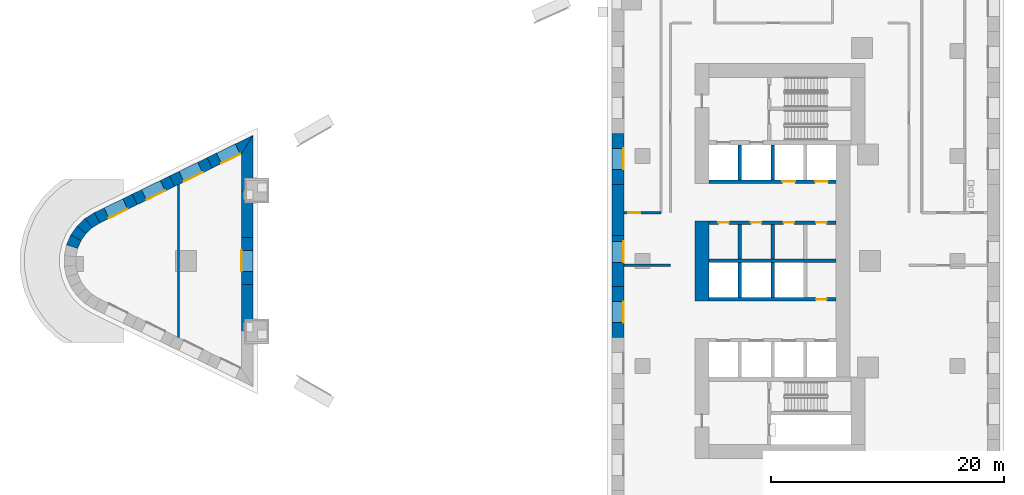
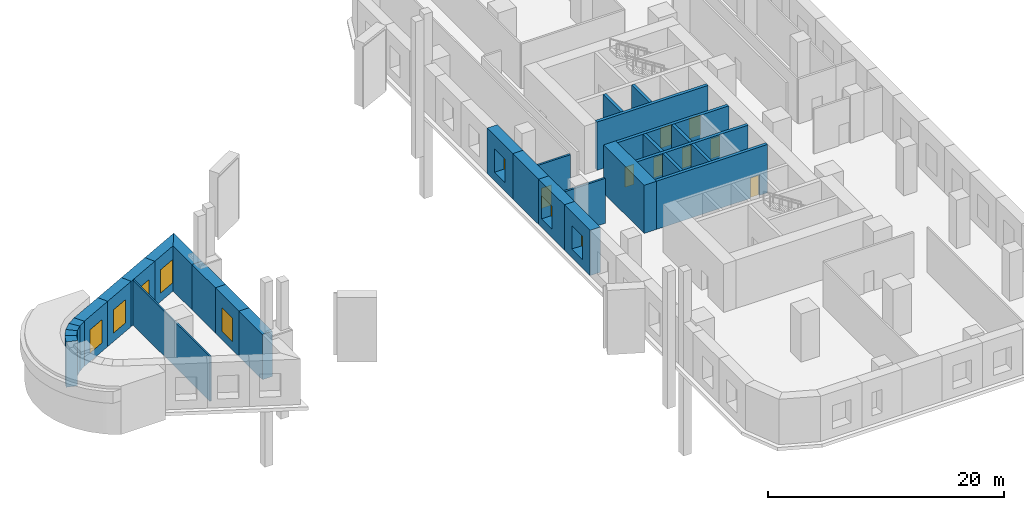
# One storey, part 3 of 11: 30 walls, 8 doors, 8 windows, 16 openings.
"""IFC4 building model written with IfcOpenShell, lengths in metres."""

from ifc_helpers import new_model, si_unit, direction, frame, frame_2d, origin, place, context, subcontext, project, spatial, polyline, rectangle, outline, extrude, material, layer, layer_set, type_object, element, fill, save


model = new_model("IFC4")

# Units and contexts
model_context = context("Model", 3, precision=1e-05, world=origin(), true_north=direction((0.0, 1.0)))
body_context = subcontext(model_context, "Body", "Model", "MODEL_VIEW")
ifc_project = project(units=[si_unit("LENGTHUNIT", "METRE"), si_unit("AREAUNIT", "SQUARE_METRE"), si_unit("VOLUMEUNIT", "CUBIC_METRE"), si_unit("PLANEANGLEUNIT", "RADIAN"), si_unit("MASSUNIT", "GRAM", prefix="KILO")], contexts=[model_context])

# Site, building, storey
site_placement = place(None, origin())
site = spatial("IfcSite", under=ifc_project, at=site_placement, CompositionType="ELEMENT")
building_placement = place(site_placement, origin())
building = spatial("IfcBuilding", under=site, at=building_placement, Name="Ostrand Prow Hotel Tower", CompositionType="ELEMENT")
storey_placement = place(building_placement, frame((0.0, 0.0, 19.0)))
storey = spatial("IfcBuildingStorey", under=building, at=storey_placement, Name="L03", CompositionType="ELEMENT", Elevation=19.0)

# Walls
ifc_material_1 = material(Name="Concrete C80/95", Category="concrete")
ifc_layer_1 = layer(ifc_material_1, 1.199951171875)
ifc_layer_set_1 = layer_set([ifc_layer_1], Name="Concrete C80/95")
wall_type_1 = type_object("IfcWallType", Name="Core wall 1200 C80/95", PredefinedType="SHEAR", material=ifc_layer_set_1)
wall_1_placement = place(storey_placement, frame((50.10009765625, -3.449951171875, 0.0), z_axis=(0.0, 0.0, 1.0), x_axis=(0.0, 1.0, 0.0)))
element("IfcWall", 1, at=wall_1_placement, inside=storey, type_object=wall_type_1, Name="Core wall CW-W-C", PredefinedType="SHEAR", context=body_context, shape_type="SweptSolid", body=[
    extrude(rectangle(XDim=6.89990234375, YDim=1.199951171875, at=frame_2d((3.449951171875, 0.0))), origin(), (0.0, 0.0, 1.0), 5.0),
])
ifc_material_2 = material(Name="Concrete C80/95", Category="concrete")
ifc_layer_2 = layer(ifc_material_2, 0.300048828125)
ifc_layer_set_2 = layer_set([ifc_layer_2], Name="Concrete C80/95")
wall_type_2 = type_object("IfcWallType", Name="Core wall 300 C80/95", PredefinedType="SHEAR", material=ifc_layer_set_2)
wall_2_placement = place(storey_placement, frame((50.699951171875, 0.0, 0.0), z_axis=(0.0, 0.0, 1.0), x_axis=(1.0, 0.0, 0.0)))
element("IfcWall", 2, at=wall_2_placement, inside=storey, type_object=wall_type_2, Name="Core wall PW-C", PredefinedType="SHEAR", context=body_context, shape_type="SweptSolid", body=[
    extrude(rectangle(XDim=10.900146484375, YDim=0.300048828125, at=frame_2d((5.4501953125, 0.0))), origin(), (0.0, 0.0, 1.0), 5.0),
])

# Wall, openings, doors
wall_3_placement = place(storey_placement, frame((50.699951171875, 3.300048828125, 0.0), z_axis=(0.0, 0.0, 1.0), x_axis=(1.0, 0.0, 0.0)))
wall_3 = element("IfcWall", 3, at=wall_3_placement, inside=storey, type_object=wall_type_2, Name="Core wall PW-L1-N", PredefinedType="SHEAR", context=body_context, shape_type="SweptSolid", body=[
    extrude(rectangle(XDim=10.900146484375, YDim=0.300048828125, at=frame_2d((5.4501953125, 0.0))), origin(), (0.0, 0.0, 1.0), 5.0),
])
opening_1_placement = place(wall_3_placement, frame((0.800048828125, 0.0, 0.0)))
opening_1 = element("IfcOpeningElement", 4, at=opening_1_placement, cuts=wall_3, Name="Opening FD2", PredefinedType="OPENING", context=body_context, shape_type="SweptSolid", body=[
    extrude(rectangle(XDim=0.89990234375, YDim=2.10009765625, at=frame_2d((0.449951171875, 1.050048828125))), frame((0.0, 0.159912109375, 0.0), z_axis=(0.0, -1.0, 0.0), x_axis=(1.0, 0.0, 0.0)), (0.0, 0.0, 1.0), 0.320068359375),
])
opening_2_placement = place(wall_3_placement, frame((3.60009765625, 0.0, 0.0)))
opening_2 = element("IfcOpeningElement", 5, at=opening_2_placement, cuts=wall_3, Name="Opening FD2", PredefinedType="OPENING", context=body_context, shape_type="SweptSolid", body=[
    extrude(rectangle(XDim=0.89990234375, YDim=2.10009765625, at=frame_2d((0.449951171875, 1.050048828125))), frame((0.0, 0.159912109375, 0.0), z_axis=(0.0, -1.0, 0.0), x_axis=(1.0, 0.0, 0.0)), (0.0, 0.0, 1.0), 0.320068359375),
])
opening_3_placement = place(wall_3_placement, frame((6.39990234375, 0.0, 0.0)))
opening_3 = element("IfcOpeningElement", 6, at=opening_3_placement, cuts=wall_3, Name="Opening FD2", PredefinedType="OPENING", context=body_context, shape_type="SweptSolid", body=[
    extrude(rectangle(XDim=0.89990234375, YDim=2.10009765625, at=frame_2d((0.449951171875, 1.050048828125))), frame((0.0, 0.159912109375, 0.0), z_axis=(0.0, -1.0, 0.0), x_axis=(1.0, 0.0, 0.0)), (0.0, 0.0, 1.0), 0.320068359375),
])
opening_4_placement = place(wall_3_placement, frame((9.199951171875, 0.0, 0.0)))
opening_4 = element("IfcOpeningElement", 7, at=opening_4_placement, cuts=wall_3, Name="Opening FD2", PredefinedType="OPENING", context=body_context, shape_type="SweptSolid", body=[
    extrude(rectangle(XDim=0.89990234375, YDim=2.10009765625, at=frame_2d((0.449951171875, 1.050048828125))), frame((0.0, 0.159912109375, 0.0), z_axis=(0.0, -1.0, 0.0), x_axis=(1.0, 0.0, 0.0)), (0.0, 0.0, 1.0), 0.320068359375),
])
ifc_material_3 = material(Name="Steel fire door", Category="steel")
door_type_1 = type_object("IfcDoorType", Name="Fire door 900 EI120", OperationType="SINGLE_SWING_LEFT", PredefinedType="DOOR", material=ifc_material_3)
door_1_placement = place(opening_1_placement, origin())
door_1 = element("IfcDoor", 8, at=door_1_placement, inside=storey, type_object=door_type_1, Name="DOOR", OperationType="SINGLE_SWING_LEFT", OverallHeight=2.10009765625, OverallWidth=0.89990234375, PredefinedType="DOOR", context=body_context, shape_type="SweptSolid", body=[
    extrude(rectangle(XDim=0.89990234375, YDim=2.10009765625, at=frame_2d((0.449951171875, 1.050048828125))), frame((0.0, 0.02490234375, 0.0), z_axis=(0.0, -1.0, 0.0), x_axis=(1.0, 0.0, 0.0)), (0.0, 0.0, 1.0), 0.050048828125),
])
fill(opening_1, door_1)
door_2_placement = place(opening_2_placement, origin())
door_2 = element("IfcDoor", 9, at=door_2_placement, inside=storey, type_object=door_type_1, Name="DOOR", OperationType="SINGLE_SWING_LEFT", OverallHeight=2.10009765625, OverallWidth=0.89990234375, PredefinedType="DOOR", context=body_context, shape_type="SweptSolid", body=[
    extrude(rectangle(XDim=0.89990234375, YDim=2.10009765625, at=frame_2d((0.449951171875, 1.050048828125))), frame((0.0, 0.02490234375, 0.0), z_axis=(0.0, -1.0, 0.0), x_axis=(1.0, 0.0, 0.0)), (0.0, 0.0, 1.0), 0.050048828125),
])
fill(opening_2, door_2)
door_3_placement = place(opening_3_placement, origin())
door_3 = element("IfcDoor", 10, at=door_3_placement, inside=storey, type_object=door_type_1, Name="DOOR", OperationType="SINGLE_SWING_LEFT", OverallHeight=2.10009765625, OverallWidth=0.89990234375, PredefinedType="DOOR", context=body_context, shape_type="SweptSolid", body=[
    extrude(rectangle(XDim=0.89990234375, YDim=2.10009765625, at=frame_2d((0.449951171875, 1.050048828125))), frame((0.0, 0.02490234375, 0.0), z_axis=(0.0, -1.0, 0.0), x_axis=(1.0, 0.0, 0.0)), (0.0, 0.0, 1.0), 0.050048828125),
])
fill(opening_3, door_3)
door_4_placement = place(opening_4_placement, origin())
door_4 = element("IfcDoor", 11, at=door_4_placement, inside=storey, type_object=door_type_1, Name="DOOR", OperationType="SINGLE_SWING_LEFT", OverallHeight=2.10009765625, OverallWidth=0.89990234375, PredefinedType="DOOR", context=body_context, shape_type="SweptSolid", body=[
    extrude(rectangle(XDim=0.89990234375, YDim=2.10009765625, at=frame_2d((0.449951171875, 1.050048828125))), frame((0.0, 0.02490234375, 0.0), z_axis=(0.0, -1.0, 0.0), x_axis=(1.0, 0.0, 0.0)), (0.0, 0.0, 1.0), 0.050048828125),
])
fill(opening_4, door_4)

wall_4_placement = place(storey_placement, frame((50.699951171875, 6.800048828125, 0.0), z_axis=(0.0, 0.0, 1.0), x_axis=(1.0, 0.0, 0.0)))
wall_4 = element("IfcWall", 12, at=wall_4_placement, inside=storey, type_object=wall_type_2, Name="Core wall PW-L2-N", PredefinedType="SHEAR", context=body_context, shape_type="SweptSolid", body=[
    extrude(rectangle(XDim=10.900146484375, YDim=0.300048828125, at=frame_2d((5.4501953125, 0.0))), origin(), (0.0, 0.0, 1.0), 5.0),
])
opening_5_placement = place(wall_4_placement, frame((6.300048828125, 0.0, 0.0)))
opening_5 = element("IfcOpeningElement", 13, at=opening_5_placement, cuts=wall_4, Name="Opening LD", PredefinedType="OPENING", context=body_context, shape_type="SweptSolid", body=[
    extrude(rectangle(XDim=1.10009765625, YDim=2.10009765625, at=frame_2d((0.550048828125, 1.050048828125))), frame((0.0, 0.159912109375, 0.0), z_axis=(0.0, -1.0, 0.0), x_axis=(1.0, 0.0, 0.0)), (0.0, 0.0, 1.0), 0.320068359375),
])
opening_6_placement = place(wall_4_placement, frame((9.10009765625, 0.0, 0.0)))
opening_6 = element("IfcOpeningElement", 14, at=opening_6_placement, cuts=wall_4, Name="Opening LD", PredefinedType="OPENING", context=body_context, shape_type="SweptSolid", body=[
    extrude(rectangle(XDim=1.10009765625, YDim=2.10009765625, at=frame_2d((0.550048828125, 1.050048828125))), frame((0.0, 0.159912109375, 0.0), z_axis=(0.0, -1.0, 0.0), x_axis=(1.0, 0.0, 0.0)), (0.0, 0.0, 1.0), 0.320068359375),
])
ifc_material_4 = material(Name="Stainless steel door", Category="steel")
door_type_2 = type_object("IfcDoorType", Name="Lift landing door 1100", OperationType="DOUBLE_DOOR_SLIDING", PredefinedType="DOOR", material=ifc_material_4)
door_5_placement = place(opening_5_placement, origin())
door_5 = element("IfcDoor", 15, at=door_5_placement, inside=storey, type_object=door_type_2, Name="LIFT LANDING DOOR", OperationType="DOUBLE_DOOR_SLIDING", OverallHeight=2.10009765625, OverallWidth=1.10009765625, PredefinedType="DOOR", context=body_context, shape_type="SweptSolid", body=[
    extrude(rectangle(XDim=1.10009765625, YDim=2.10009765625, at=frame_2d((0.550048828125, 1.050048828125))), frame((0.0, 0.02490234375, 0.0), z_axis=(0.0, -1.0, 0.0), x_axis=(1.0, 0.0, 0.0)), (0.0, 0.0, 1.0), 0.050048828125),
])
fill(opening_5, door_5)
door_6_placement = place(opening_6_placement, origin())
door_6 = element("IfcDoor", 16, at=door_6_placement, inside=storey, type_object=door_type_2, Name="LIFT LANDING DOOR", OperationType="DOUBLE_DOOR_SLIDING", OverallHeight=2.10009765625, OverallWidth=1.10009765625, PredefinedType="DOOR", context=body_context, shape_type="SweptSolid", body=[
    extrude(rectangle(XDim=1.10009765625, YDim=2.10009765625, at=frame_2d((0.550048828125, 1.050048828125))), frame((0.0, 0.02490234375, 0.0), z_axis=(0.0, -1.0, 0.0), x_axis=(1.0, 0.0, 0.0)), (0.0, 0.0, 1.0), 0.050048828125),
])
fill(opening_6, door_6)

# Walls
for number, where, z_axis, x_axis, name in (
    (17, (53.35009765625, 0.14990234375, 0.0), (0.0, 0.0, 1.0), (0.0, 1.0, 0.0), "Core wall PW-R1-NB"),
    (18, (53.35009765625, 6.949951171875, 0.0), (0.0, 0.0, 1.0), (0.0, 1.0, 0.0), "Core wall PW-R1-NA"),
    (19, (56.14990234375, 0.14990234375, 0.0), (0.0, 0.0, 1.0), (0.0, 1.0, 0.0), "Core wall PW-R2-NB"),
    (20, (56.14990234375, 6.949951171875, 0.0), (0.0, 0.0, 1.0), (0.0, 1.0, 0.0), "Core wall PW-R2-NA"),
):
    element("IfcWall", number, at=place(storey_placement, frame(where, z_axis=z_axis, x_axis=x_axis)), inside=storey, type_object=wall_type_2, Name=name, PredefinedType="SHEAR", context=body_context, shape_type="SweptSolid", body=[
        extrude(rectangle(XDim=3.0, YDim=0.300048828125, at=frame_2d((1.5, 0.0))), origin(), (0.0, 0.0, 1.0), 5.0),
    ])

# Wall, opening, door
wall_5_placement = place(storey_placement, frame((50.699951171875, -3.300048828125, 0.0), z_axis=(0.0, 0.0, 1.0), x_axis=(1.0, 0.0, 0.0)))
wall_5 = element("IfcWall", 21, at=wall_5_placement, inside=storey, type_object=wall_type_2, Name="Core wall PW-L1-S", PredefinedType="SHEAR", context=body_context, shape_type="SweptSolid", body=[
    extrude(rectangle(XDim=10.900146484375, YDim=0.300048828125, at=frame_2d((5.4501953125, 0.0))), origin(), (0.0, 0.0, 1.0), 5.0),
])
opening_7_placement = place(wall_5_placement, frame((9.199951171875, 0.0, 0.0)))
opening_7 = element("IfcOpeningElement", 22, at=opening_7_placement, cuts=wall_5, Name="Opening FD2", PredefinedType="OPENING", context=body_context, shape_type="SweptSolid", body=[
    extrude(rectangle(XDim=0.89990234375, YDim=2.10009765625, at=frame_2d((0.449951171875, 1.050048828125))), frame((0.0, 0.159912109375, 0.0), z_axis=(0.0, -1.0, 0.0), x_axis=(1.0, 0.0, 0.0)), (0.0, 0.0, 1.0), 0.320068359375),
])
door_7_placement = place(opening_7_placement, origin())
door_7 = element("IfcDoor", 23, at=door_7_placement, inside=storey, type_object=door_type_1, Name="DOOR", OperationType="SINGLE_SWING_LEFT", OverallHeight=2.10009765625, OverallWidth=0.89990234375, PredefinedType="DOOR", context=body_context, shape_type="SweptSolid", body=[
    extrude(rectangle(XDim=0.89990234375, YDim=2.10009765625, at=frame_2d((0.449951171875, 1.050048828125))), frame((0.0, 0.02490234375, 0.0), z_axis=(0.0, -1.0, 0.0), x_axis=(1.0, 0.0, 0.0)), (0.0, 0.0, 1.0), 0.050048828125),
])
fill(opening_7, door_7)

# Walls
for number, where, z_axis, x_axis, name in (
    (24, (53.35009765625, -3.14990234375, 0.0), (0.0, 0.0, 1.0), (0.0, 1.0, 0.0), "Core wall PW-R1-SB"),
    (25, (56.14990234375, -3.14990234375, 0.0), (0.0, 0.0, 1.0), (0.0, 1.0, 0.0), "Core wall PW-R2-SB"),
):
    element("IfcWall", number, at=place(storey_placement, frame(where, z_axis=z_axis, x_axis=x_axis)), inside=storey, type_object=wall_type_2, Name=name, PredefinedType="SHEAR", context=body_context, shape_type="SweptSolid", body=[
        extrude(rectangle(XDim=3.0, YDim=0.300048828125, at=frame_2d((1.5, 0.0))), origin(), (0.0, 0.0, 1.0), 5.0),
    ])
ifc_material_5 = material(Name="Plasterboard partition")
ifc_layer_3 = layer(ifc_material_5, 0.14990234375)
ifc_layer_set_3 = layer_set([ifc_layer_3], Name="Plasterboard partition")
wall_type_3 = type_object("IfcWallType", Name="Partition 150 room partition", PredefinedType="PARTITIONING", material=ifc_layer_set_3)
wall_6_placement = place(storey_placement, frame((5.210205078125, -6.545166015625, 0.0), z_axis=(0.0, 0.0, 1.0), x_axis=(0.0, 1.0, 0.0)))
element("IfcWall", 26, at=wall_6_placement, inside=storey, type_object=wall_type_3, Name="ROOM PARTITION", PredefinedType="PARTITIONING", context=body_context, shape_type="SweptSolid", body=[
    extrude(rectangle(XDim=13.09033203125, YDim=0.14990234375, at=frame_2d((6.545166015625, 0.0))), origin(), (0.0, 0.0, 1.0), 4.64990234375),
])
ifc_material_6 = material(Name="Plasterboard partition")
ifc_layer_4 = layer(ifc_material_6, 0.199951171875)
ifc_layer_set_4 = layer_set([ifc_layer_4], Name="Plasterboard partition")
wall_type_4 = type_object("IfcWallType", Name="Partition 200 corridor wall", PredefinedType="PARTITIONING", material=ifc_layer_set_4)
wall_7_placement = place(storey_placement, frame((43.429931640625, -0.376220703125, 0.0), z_axis=(0.0, 0.0, 1.0), x_axis=(1.0, 0.0, 0.0)))
element("IfcWall", 27, at=wall_7_placement, inside=storey, type_object=wall_type_4, Name="CORRIDOR WALL", PredefinedType="PARTITIONING", context=body_context, shape_type="SweptSolid", body=[
    extrude(rectangle(XDim=3.970947265625, YDim=0.199951171875, at=frame_2d((1.9853515625, 0.0))), origin(), (0.0, 0.0, 1.0), 4.64990234375),
])

# Wall, opening, door
wall_8_placement = place(storey_placement, frame((43.429931640625, 4.138671875, 0.0), z_axis=(0.0, 0.0, 1.0), x_axis=(1.0, 0.0, 0.0)))
wall_8 = element("IfcWall", 28, at=wall_8_placement, inside=storey, type_object=wall_type_4, Name="CORRIDOR WALL", PredefinedType="PARTITIONING", context=body_context, shape_type="SweptSolid", body=[
    extrude(rectangle(XDim=3.16455078125, YDim=0.199951171875, at=frame_2d((1.582275390625, 0.0))), origin(), (0.0, 0.0, 1.0), 4.64990234375),
])
opening_8_placement = place(wall_8_placement, frame((0.3671875, 0.0, 0.0)))
opening_8 = element("IfcOpeningElement", 29, at=opening_8_placement, cuts=wall_8, Name="Opening D1", PredefinedType="OPENING", context=body_context, shape_type="SweptSolid", body=[
    extrude(rectangle(XDim=1.0, YDim=2.10009765625, at=frame_2d((0.5, 1.050048828125))), frame((0.0, 0.10986328125, 0.0), z_axis=(0.0, -1.0, 0.0), x_axis=(1.0, 0.0, 0.0)), (0.0, 0.0, 1.0), 0.219970703125),
])
ifc_material_7 = material(Name="Timber door leaf", Category="wood")
door_type_3 = type_object("IfcDoorType", Name="Guest room door 1000", OperationType="SINGLE_SWING_LEFT", PredefinedType="DOOR", material=ifc_material_7)
door_8_placement = place(opening_8_placement, origin())
door_8 = element("IfcDoor", 30, at=door_8_placement, inside=storey, type_object=door_type_3, Name="DOOR", OperationType="SINGLE_SWING_LEFT", OverallHeight=2.10009765625, OverallWidth=1.0, PredefinedType="DOOR", context=body_context, shape_type="SweptSolid", body=[
    extrude(rectangle(XDim=1.0, YDim=2.10009765625, at=frame_2d((0.5, 1.050048828125))), frame((0.0, 0.02490234375, 0.0), z_axis=(0.0, -1.0, 0.0), x_axis=(1.0, 0.0, 0.0)), (0.0, 0.0, 1.0), 0.050048828125),
])
fill(opening_8, door_8)

# Wall
ifc_material_8 = material(Name="Precast concrete C40/50", Category="concrete")
ifc_layer_5 = layer(ifc_material_8, 1.0)
ifc_layer_set_5 = layer_set([ifc_layer_5], Name="Precast concrete C40/50")
wall_type_5 = type_object("IfcWallType", Name="Portal pier wall 1000 mm", PredefinedType="NOTDEFINED", material=ifc_layer_set_5)
wall_9_placement = place(storey_placement, frame((11.10009765625, -5.9833984375, 0.0), z_axis=(0.0, 0.0, 1.0), x_axis=(0.0, 1.0, 0.0)))
element("IfcWall", 31, at=wall_9_placement, inside=storey, type_object=wall_type_5, Name="Portal pier wall L03-PP001", PredefinedType="NOTDEFINED", context=body_context, shape_type="SweptSolid", body=[
    extrude(outline(polyline([(0.0, -0.5), (3.989013671875, -0.5), (3.989013671875, 0.5), (0.0, 0.5), (0.0, -0.5)])), origin(), (0.0, 0.0, 1.0), 4.699951171875),
])

# Wall, opening, window
wall_10_placement = place(storey_placement, frame((11.10009765625, -1.994384765625, 0.0), z_axis=(0.0, 0.0, 1.0), x_axis=(0.0, 1.0, 0.0)))
wall_10 = element("IfcWall", 32, at=wall_10_placement, inside=storey, type_object=wall_type_5, Name="Portal pier wall L03-PP002", PredefinedType="NOTDEFINED", context=body_context, shape_type="SweptSolid", body=[
    extrude(outline(polyline([(0.0, -0.5), (3.98876953125, -0.5), (3.98876953125, 0.5), (0.0, 0.5), (0.0, -0.5)])), origin(), (0.0, 0.0, 1.0), 4.699951171875),
])
opening_9_placement = place(wall_10_placement, frame((1.094482421875, 0.0, 0.89990234375)))
opening_9 = element("IfcOpeningElement", 33, at=opening_9_placement, cuts=wall_10, Name="Opening WP2", PredefinedType="OPENING", context=body_context, shape_type="SweptSolid", body=[
    extrude(rectangle(XDim=1.800048828125, YDim=2.39990234375, at=frame_2d((0.89990234375, 1.199951171875))), frame((0.0, 0.510009765625, 0.0), z_axis=(0.0, -1.0, 0.0), x_axis=(1.0, 0.0, 0.0)), (0.0, 0.0, 1.0), 1.02001953125),
])
ifc_material_9 = material(Name="Insulated glass in bronze anodised frame", Category="glass")
window_type = type_object("IfcWindowType", Name="Portal window 1800x2400", PartitioningType="SINGLE_PANEL", PredefinedType="WINDOW", material=ifc_material_9)
window_1_placement = place(opening_9_placement, origin())
window_1 = element("IfcWindow", 34, at=window_1_placement, inside=storey, type_object=window_type, Name="Portal window L03-PP002", OverallHeight=2.39990234375, OverallWidth=1.800048828125, PartitioningType="SINGLE_PANEL", PredefinedType="WINDOW", context=body_context, shape_type="SweptSolid", body=[
    extrude(rectangle(XDim=1.800048828125, YDim=2.39990234375, at=frame_2d((0.89990234375, 1.199951171875))), frame((0.0, 0.5, 0.0), z_axis=(0.0, -1.0, 0.0), x_axis=(1.0, 0.0, 0.0)), (0.0, 0.0, 1.0), 0.06005859375),
])
fill(opening_9, window_1)

# Walls
wall_11_placement = place(storey_placement, frame((11.10009765625, 1.994384765625, 0.0), z_axis=(0.0, 0.0, 1.0), x_axis=(0.0, 1.0, 0.0)))
element("IfcWall", 35, at=wall_11_placement, inside=storey, type_object=wall_type_5, Name="Portal pier wall L03-PP003", PredefinedType="NOTDEFINED", context=body_context, shape_type="SweptSolid", body=[
    extrude(outline(polyline([(0.0, -0.5), (3.989013671875, -0.5), (3.989013671875, 0.5), (0.0, 0.5), (0.0, -0.5)])), origin(), (0.0, 0.0, 1.0), 4.699951171875),
])
wall_12_placement = place(storey_placement, frame((11.10009765625, 5.9833984375, 0.0), z_axis=(0.0, 0.0, 1.0), x_axis=(0.0, 1.0, 0.0)))
element("IfcWall", 36, at=wall_12_placement, inside=storey, type_object=wall_type_5, Name="Portal pier wall L03-PP004", PredefinedType="NOTDEFINED", context=body_context, shape_type="SweptSolid", body=[
    extrude(outline(polyline([(0.0, -0.5), (4.7890625, -0.5), (3.18896484375, 0.5), (0.0, 0.5), (0.0, -0.5)])), origin(), (0.0, 0.0, 1.0), 4.699951171875),
])

# Wall, opening, window
wall_13_placement = place(storey_placement, frame((11.10009765625, 9.972412109375, 0.0), z_axis=(0.0, 0.0, 1.0), x_axis=(-0.89890161674, -0.438150525987, 0.0)))
wall_13 = element("IfcWall", 37, at=wall_13_placement, inside=storey, type_object=wall_type_5, Name="Portal pier wall L03-PP005", PredefinedType="NOTDEFINED", context=body_context, shape_type="SweptSolid", body=[
    extrude(outline(polyline([(-0.800048828125, -0.5), (3.57568359375, -0.5), (3.57568359375, 0.5), (0.800048828125, 0.5), (-0.800048828125, -0.5)])), origin(), (0.0, 0.0, 1.0), 4.699951171875),
])
opening_10_placement = place(wall_13_placement, frame((0.8876953125, 0.0, 0.89990234375)))
opening_10 = element("IfcOpeningElement", 38, at=opening_10_placement, cuts=wall_13, Name="Opening WP2", PredefinedType="OPENING", context=body_context, shape_type="SweptSolid", body=[
    extrude(rectangle(XDim=1.800048828125, YDim=2.39990234375, at=frame_2d((0.89990234375, 1.199951171875))), frame((0.0, 0.510009765625, 0.0), z_axis=(0.0, -1.0, 0.0), x_axis=(1.0, 0.0, 0.0)), (0.0, 0.0, 1.0), 1.02001953125),
])
window_2_placement = place(opening_10_placement, origin())
window_2 = element("IfcWindow", 39, at=window_2_placement, inside=storey, type_object=window_type, Name="Portal window L03-PP005", OverallHeight=2.39990234375, OverallWidth=1.800048828125, PartitioningType="SINGLE_PANEL", PredefinedType="WINDOW", context=body_context, shape_type="SweptSolid", body=[
    extrude(rectangle(XDim=1.800048828125, YDim=2.39990234375, at=frame_2d((0.89990234375, 1.199951171875))), frame((0.0, 0.5, 0.0), z_axis=(0.0, -1.0, 0.0), x_axis=(1.0, 0.0, 0.0)), (0.0, 0.0, 1.0), 0.06005859375),
])
fill(opening_10, window_2)

wall_14_placement = place(storey_placement, frame((7.885986328125, 8.40576171875, 0.0), z_axis=(0.0, 0.0, 1.0), x_axis=(-0.898888507486, -0.43817741967, 0.0)))
wall_14 = element("IfcWall", 40, at=wall_14_placement, inside=storey, type_object=wall_type_5, Name="Portal pier wall L03-PP006", PredefinedType="NOTDEFINED", context=body_context, shape_type="SweptSolid", body=[
    extrude(outline(polyline([(0.0, -0.5), (3.575439453125, -0.5), (3.575439453125, 0.5), (0.0, 0.5), (0.0, -0.5)])), origin(), (0.0, 0.0, 1.0), 4.699951171875),
])
opening_11_placement = place(wall_14_placement, frame((0.8876953125, 0.0, 0.89990234375)))
opening_11 = element("IfcOpeningElement", 41, at=opening_11_placement, cuts=wall_14, Name="Opening WP2", PredefinedType="OPENING", context=body_context, shape_type="SweptSolid", body=[
    extrude(rectangle(XDim=1.800048828125, YDim=2.39990234375, at=frame_2d((0.89990234375, 1.199951171875))), frame((0.0, 0.510009765625, 0.0), z_axis=(0.0, -1.0, 0.0), x_axis=(1.0, 0.0, 0.0)), (0.0, 0.0, 1.0), 1.02001953125),
])
window_3_placement = place(opening_11_placement, origin())
window_3 = element("IfcWindow", 42, at=window_3_placement, inside=storey, type_object=window_type, Name="Portal window L03-PP006", OverallHeight=2.39990234375, OverallWidth=1.800048828125, PartitioningType="SINGLE_PANEL", PredefinedType="WINDOW", context=body_context, shape_type="SweptSolid", body=[
    extrude(rectangle(XDim=1.800048828125, YDim=2.39990234375, at=frame_2d((0.89990234375, 1.199951171875))), frame((0.0, 0.5, 0.0), z_axis=(0.0, -1.0, 0.0), x_axis=(1.0, 0.0, 0.0)), (0.0, 0.0, 1.0), 0.06005859375),
])
fill(opening_11, window_3)

wall_15_placement = place(storey_placement, frame((4.672119140625, 6.839111328125, 0.0), z_axis=(0.0, 0.0, 1.0), x_axis=(-0.898848496883, -0.438259488946, 0.0)))
wall_15 = element("IfcWall", 43, at=wall_15_placement, inside=storey, type_object=wall_type_5, Name="Portal pier wall L03-PP007", PredefinedType="NOTDEFINED", context=body_context, shape_type="SweptSolid", body=[
    extrude(outline(polyline([(0.0, -0.5), (3.5751953125, -0.5), (3.5751953125, 0.5), (0.0, 0.5), (0.0, -0.5)])), origin(), (0.0, 0.0, 1.0), 4.699951171875),
])
opening_12_placement = place(wall_15_placement, frame((0.8876953125, 0.0, 0.89990234375)))
opening_12 = element("IfcOpeningElement", 44, at=opening_12_placement, cuts=wall_15, Name="Opening WP2", PredefinedType="OPENING", context=body_context, shape_type="SweptSolid", body=[
    extrude(rectangle(XDim=1.800048828125, YDim=2.39990234375, at=frame_2d((0.89990234375, 1.199951171875))), frame((0.0, 0.510009765625, 0.0), z_axis=(0.0, -1.0, 0.0), x_axis=(1.0, 0.0, 0.0)), (0.0, 0.0, 1.0), 1.02001953125),
])
window_4_placement = place(opening_12_placement, origin())
window_4 = element("IfcWindow", 45, at=window_4_placement, inside=storey, type_object=window_type, Name="Portal window L03-PP007", OverallHeight=2.39990234375, OverallWidth=1.800048828125, PartitioningType="SINGLE_PANEL", PredefinedType="WINDOW", context=body_context, shape_type="SweptSolid", body=[
    extrude(rectangle(XDim=1.800048828125, YDim=2.39990234375, at=frame_2d((0.89990234375, 1.199951171875))), frame((0.0, 0.5, 0.0), z_axis=(0.0, -1.0, 0.0), x_axis=(1.0, 0.0, 0.0)), (0.0, 0.0, 1.0), 0.06005859375),
])
fill(opening_12, window_4)

wall_16_placement = place(storey_placement, frame((1.45849609375, 5.272216796875, 0.0), z_axis=(0.0, 0.0, 1.0), x_axis=(-0.898874723623, -0.438205695117, 0.0)))
wall_16 = element("IfcWall", 46, at=wall_16_placement, inside=storey, type_object=wall_type_5, Name="Portal pier wall L03-PP008", PredefinedType="NOTDEFINED", context=body_context, shape_type="SweptSolid", body=[
    extrude(outline(polyline([(0.0, -0.5), (3.60107421875, -0.5), (3.55029296875, 0.5), (0.0, 0.5), (0.0, -0.5)])), origin(), (0.0, 0.0, 1.0), 4.699951171875),
])
opening_13_placement = place(wall_16_placement, frame((0.8876953125, 0.0, 0.89990234375)))
opening_13 = element("IfcOpeningElement", 47, at=opening_13_placement, cuts=wall_16, Name="Opening WP2", PredefinedType="OPENING", context=body_context, shape_type="SweptSolid", body=[
    extrude(rectangle(XDim=1.800048828125, YDim=2.39990234375, at=frame_2d((0.89990234375, 1.199951171875))), frame((0.0, 0.510009765625, 0.0), z_axis=(0.0, -1.0, 0.0), x_axis=(1.0, 0.0, 0.0)), (0.0, 0.0, 1.0), 1.02001953125),
])
window_5_placement = place(opening_13_placement, origin())
window_5 = element("IfcWindow", 48, at=window_5_placement, inside=storey, type_object=window_type, Name="Portal window L03-PP008", OverallHeight=2.39990234375, OverallWidth=1.800048828125, PartitioningType="SINGLE_PANEL", PredefinedType="WINDOW", context=body_context, shape_type="SweptSolid", body=[
    extrude(rectangle(XDim=1.800048828125, YDim=2.39990234375, at=frame_2d((0.89990234375, 1.199951171875))), frame((0.0, 0.5, 0.0), z_axis=(0.0, -1.0, 0.0), x_axis=(1.0, 0.0, 0.0)), (0.0, 0.0, 1.0), 0.06005859375),
])
fill(opening_13, window_5)

# Walls
wall_17_placement = place(storey_placement, frame((-1.755615234375, 3.705322265625, 0.0), z_axis=(0.0, 0.0, 1.0), x_axis=(-0.849777890555, -0.527140907846, 0.0)))
element("IfcWall", 49, at=wall_17_placement, inside=storey, type_object=wall_type_5, Name="Portal pier wall L03-PP009", PredefinedType="NOTDEFINED", context=body_context, shape_type="SweptSolid", body=[
    extrude(outline(polyline([(-0.025390625, -0.5), (0.92724609375, -0.5), (0.8251953125, 0.5), (0.025390625, 0.5), (-0.025390625, -0.5)])), origin(), (0.0, 0.0, 1.0), 4.699951171875),
])
wall_18_placement = place(storey_placement, frame((-2.500244140625, 3.243408203125, 0.0), z_axis=(0.0, 0.0, 1.0), x_axis=(-0.726099436492, -0.687589709293, 0.0)))
element("IfcWall", 50, at=wall_18_placement, inside=storey, type_object=wall_type_5, Name="Portal pier wall L03-PP010", PredefinedType="NOTDEFINED", context=body_context, shape_type="SweptSolid", body=[
    extrude(outline(polyline([(-0.051025390625, -0.5), (0.881591796875, -0.5), (0.779541015625, 0.5), (0.051025390625, 0.5), (-0.051025390625, -0.5)])), origin(), (0.0, 0.0, 1.0), 4.699951171875),
])
wall_19_placement = place(storey_placement, frame((-3.103271484375, 2.67236328125, 0.0), z_axis=(0.0, 0.0, 1.0), x_axis=(-0.572416108775, -0.819963290895, 0.0)))
element("IfcWall", 51, at=wall_19_placement, inside=storey, type_object=wall_type_5, Name="Portal pier wall L03-PP011", PredefinedType="NOTDEFINED", context=body_context, shape_type="SweptSolid", body=[
    extrude(outline(polyline([(-0.051025390625, -0.5), (0.88134765625, -0.5), (0.779296875, 0.5), (0.051025390625, 0.5), (-0.051025390625, -0.5)])), origin(), (0.0, 0.0, 1.0), 4.699951171875),
])
wall_20_placement = place(storey_placement, frame((-3.57861328125, 1.991455078125, 0.0), z_axis=(0.0, 0.0, 1.0), x_axis=(-0.395089773053, -0.91864251547, 0.0)))
element("IfcWall", 52, at=wall_20_placement, inside=storey, type_object=wall_type_5, Name="Portal pier wall L03-PP012", PredefinedType="NOTDEFINED", context=body_context, shape_type="SweptSolid", body=[
    extrude(outline(polyline([(-0.051025390625, -0.5), (0.881591796875, -0.5), (0.779541015625, 0.5), (0.051025390625, 0.5), (-0.051025390625, -0.5)])), origin(), (0.0, 0.0, 1.0), 4.699951171875),
])

# Wall, opening, window
wall_21_placement = place(storey_placement, frame((42.89990234375, 10.940185546875, 0.0), z_axis=(0.0, 0.0, 1.0), x_axis=(0.0, -1.0, 0.0)))
wall_21 = element("IfcWall", 53, at=wall_21_placement, inside=storey, type_object=wall_type_5, Name="Portal pier wall L03-PP138", PredefinedType="NOTDEFINED", context=body_context, shape_type="SweptSolid", body=[
    extrude(outline(polyline([(0.0, -0.5), (4.3759765625, -0.5), (4.3759765625, 0.5), (0.0, 0.5), (0.0, -0.5)])), origin(), (0.0, 0.0, 1.0), 4.699951171875),
])
opening_14_placement = place(wall_21_placement, frame((1.2880859375, 0.0, 0.89990234375)))
opening_14 = element("IfcOpeningElement", 54, at=opening_14_placement, cuts=wall_21, Name="Opening WP2", PredefinedType="OPENING", context=body_context, shape_type="SweptSolid", body=[
    extrude(rectangle(XDim=1.800048828125, YDim=2.39990234375, at=frame_2d((0.89990234375, 1.199951171875))), frame((0.0, 0.510009765625, 0.0), z_axis=(0.0, -1.0, 0.0), x_axis=(1.0, 0.0, 0.0)), (0.0, 0.0, 1.0), 1.02001953125),
])
window_6_placement = place(opening_14_placement, origin())
window_6 = element("IfcWindow", 55, at=window_6_placement, inside=storey, type_object=window_type, Name="Portal window L03-PP138", OverallHeight=2.39990234375, OverallWidth=1.800048828125, PartitioningType="SINGLE_PANEL", PredefinedType="WINDOW", context=body_context, shape_type="SweptSolid", body=[
    extrude(rectangle(XDim=1.800048828125, YDim=2.39990234375, at=frame_2d((0.89990234375, 1.199951171875))), frame((0.0, 0.5, 0.0), z_axis=(0.0, -1.0, 0.0), x_axis=(1.0, 0.0, 0.0)), (0.0, 0.0, 1.0), 0.06005859375),
])
fill(opening_14, window_6)

# Wall
wall_22_placement = place(storey_placement, frame((42.89990234375, 6.564208984375, 0.0), z_axis=(0.0, 0.0, 1.0), x_axis=(0.0, -1.0, 0.0)))
element("IfcWall", 56, at=wall_22_placement, inside=storey, type_object=wall_type_5, Name="Portal pier wall L03-PP139", PredefinedType="NOTDEFINED", context=body_context, shape_type="SweptSolid", body=[
    extrude(outline(polyline([(0.0, -0.5), (4.376220703125, -0.5), (4.376220703125, 0.5), (0.0, 0.5), (0.0, -0.5)])), origin(), (0.0, 0.0, 1.0), 4.699951171875),
])

# Wall, opening, window
wall_23_placement = place(storey_placement, frame((42.89990234375, 2.18798828125, 0.0), z_axis=(0.0, 0.0, 1.0), x_axis=(0.0, -1.0, 0.0)))
wall_23 = element("IfcWall", 57, at=wall_23_placement, inside=storey, type_object=wall_type_5, Name="Portal pier wall L03-PP140", PredefinedType="NOTDEFINED", context=body_context, shape_type="SweptSolid", body=[
    extrude(outline(polyline([(0.0, -0.5), (4.3759765625, -0.5), (4.3759765625, 0.5), (0.0, 0.5), (0.0, -0.5)])), origin(), (0.0, 0.0, 1.0), 4.699951171875),
])
opening_15_placement = place(wall_23_placement, frame((0.508056640625, 0.0, 0.89990234375)))
opening_15 = element("IfcOpeningElement", 58, at=opening_15_placement, cuts=wall_23, Name="Opening WP2", PredefinedType="OPENING", context=body_context, shape_type="SweptSolid", body=[
    extrude(rectangle(XDim=1.800048828125, YDim=2.39990234375, at=frame_2d((0.89990234375, 1.199951171875))), frame((0.0, 0.510009765625, 0.0), z_axis=(0.0, -1.0, 0.0), x_axis=(1.0, 0.0, 0.0)), (0.0, 0.0, 1.0), 1.02001953125),
])
window_7_placement = place(opening_15_placement, origin())
window_7 = element("IfcWindow", 59, at=window_7_placement, inside=storey, type_object=window_type, Name="Portal window L03-PP140", OverallHeight=2.39990234375, OverallWidth=1.800048828125, PartitioningType="SINGLE_PANEL", PredefinedType="WINDOW", context=body_context, shape_type="SweptSolid", body=[
    extrude(rectangle(XDim=1.800048828125, YDim=2.39990234375, at=frame_2d((0.89990234375, 1.199951171875))), frame((0.0, 0.5, 0.0), z_axis=(0.0, -1.0, 0.0), x_axis=(1.0, 0.0, 0.0)), (0.0, 0.0, 1.0), 0.06005859375),
])
fill(opening_15, window_7)

wall_24_placement = place(storey_placement, frame((42.89990234375, -2.18798828125, 0.0), z_axis=(0.0, 0.0, 1.0), x_axis=(0.0, -1.0, 0.0)))
wall_24 = element("IfcWall", 60, at=wall_24_placement, inside=storey, type_object=wall_type_5, Name="Portal pier wall L03-PP141", PredefinedType="NOTDEFINED", context=body_context, shape_type="SweptSolid", body=[
    extrude(outline(polyline([(0.0, -0.5), (4.376220703125, -0.5), (4.376220703125, 0.5), (0.0, 0.5), (0.0, -0.5)])), origin(), (0.0, 0.0, 1.0), 4.699951171875),
])
opening_16_placement = place(wall_24_placement, frame((1.2880859375, 0.0, 0.89990234375)))
opening_16 = element("IfcOpeningElement", 61, at=opening_16_placement, cuts=wall_24, Name="Opening WP2", PredefinedType="OPENING", context=body_context, shape_type="SweptSolid", body=[
    extrude(rectangle(XDim=1.800048828125, YDim=2.39990234375, at=frame_2d((0.89990234375, 1.199951171875))), frame((0.0, 0.510009765625, 0.0), z_axis=(0.0, -1.0, 0.0), x_axis=(1.0, 0.0, 0.0)), (0.0, 0.0, 1.0), 1.02001953125),
])
window_8_placement = place(opening_16_placement, origin())
window_8 = element("IfcWindow", 62, at=window_8_placement, inside=storey, type_object=window_type, Name="Portal window L03-PP141", OverallHeight=2.39990234375, OverallWidth=1.800048828125, PartitioningType="SINGLE_PANEL", PredefinedType="WINDOW", context=body_context, shape_type="SweptSolid", body=[
    extrude(rectangle(XDim=1.800048828125, YDim=2.39990234375, at=frame_2d((0.89990234375, 1.199951171875))), frame((0.0, 0.5, 0.0), z_axis=(0.0, -1.0, 0.0), x_axis=(1.0, 0.0, 0.0)), (0.0, 0.0, 1.0), 0.06005859375),
])
fill(opening_16, window_8)

save(model, "model.ifc")
